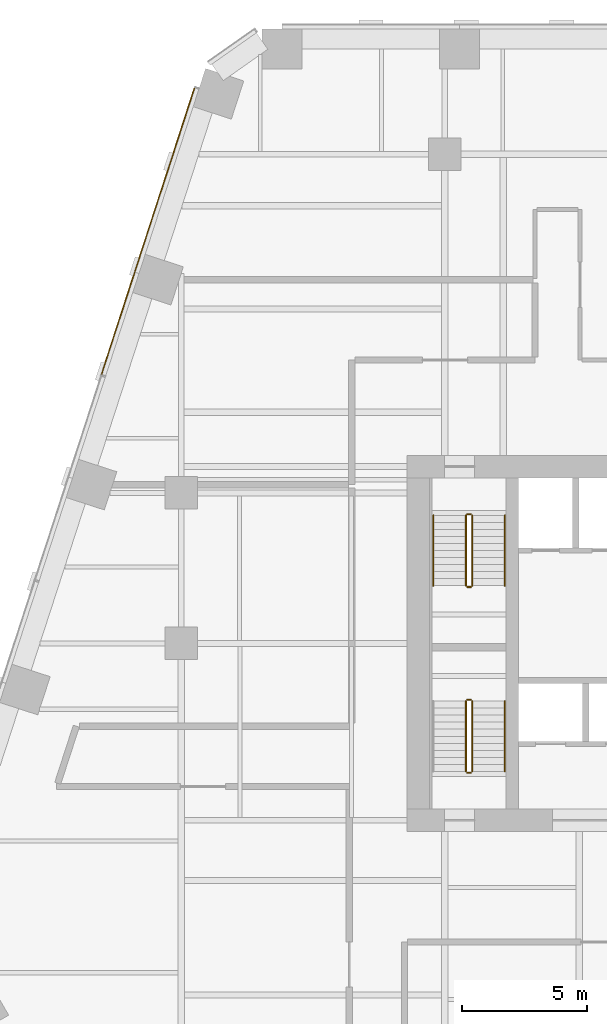
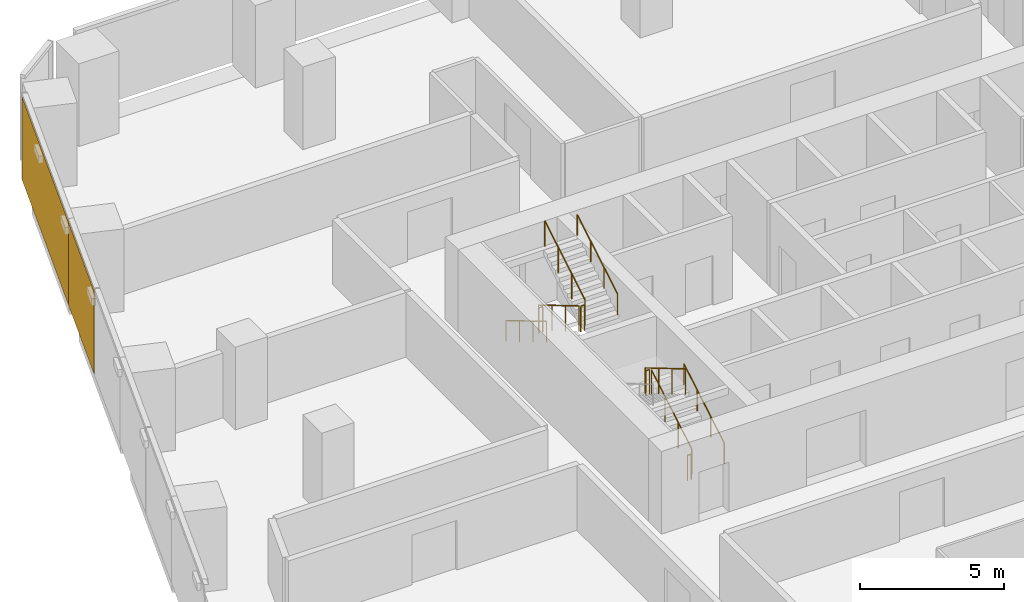
# One storey, part 19 of 21: 11 railings, 2 coverings, 1 element without a shape of its own.
"""IFC4 building model written with IfcOpenShell, lengths in metres."""

from ifc_helpers import new_model, si_unit, direction, frame, origin, origin_2d, place, context, subcontext, project, spatial, rectangle, circle, extrude, material, layer, layer_set, type_object, element, aggregate, save


model = new_model("IFC4")

# Units and contexts
model_context = context("Model", 3, precision=1e-05, world=origin(), true_north=direction((0.0, 1.0)))
body_context = subcontext(model_context, "Body", "Model", "MODEL_VIEW")
ifc_project = project(units=[si_unit("LENGTHUNIT", "METRE"), si_unit("AREAUNIT", "SQUARE_METRE"), si_unit("VOLUMEUNIT", "CUBIC_METRE"), si_unit("PLANEANGLEUNIT", "RADIAN"), si_unit("MASSUNIT", "GRAM", prefix="KILO")], contexts=[model_context])

# Site, building, storey
site_placement = place(None, origin())
site = spatial("IfcSite", under=ifc_project, at=site_placement, CompositionType="ELEMENT")
building_placement = place(site_placement, origin())
building = spatial("IfcBuilding", under=site, at=building_placement, Name="Isthmus Gate Tower", CompositionType="ELEMENT")
storey_placement = place(building_placement, frame((0.0, 0.0, 109.85009765625)))
storey = spatial("IfcBuildingStorey", under=building, at=storey_placement, Name="L26", CompositionType="ELEMENT", Elevation=109.85009765625)

# Curtain wall, coverings
ifc_material_1 = material(Name="Aluminium, pale champagne anodised", Category="aluminium")
ifc_layer_1 = layer(ifc_material_1, 0.199951171875)
ifc_layer_set_1 = layer_set([ifc_layer_1], Name="CW-1 UNITISED CURTAIN WALL 200 DEEP")
curtain_wall_type = type_object("IfcCurtainWallType", Name="CW-1 UNITISED CURTAIN WALL 200 DEEP", PredefinedType="NOTDEFINED", material=ifc_layer_set_1)
curtain_wall_placement = place(storey_placement, origin())
curtain_wall = element("IfcCurtainWall", 1, at=curtain_wall_placement, inside=storey, type_object=curtain_wall_type, Name="CW-1 NW L26", PredefinedType="NOTDEFINED")
ifc_material_2 = material(Name="Aluminium composite panel, pale champagne anodised", Category="aluminium")
ifc_layer_2 = layer(ifc_material_2, 0.0400390625)
ifc_layer_set_2 = layer_set([ifc_layer_2], Name="CW-1 PALE METAL PANEL 40")
covering_type = type_object("IfcCoveringType", Name="CW-1 PALE METAL PANEL 40", PredefinedType="CLADDING", material=ifc_layer_set_2)
covering_1_placement = place(storey_placement, frame((-24.660400390625, 25.97705078125, 0.0), z_axis=(0.0, 0.0, 1.0), x_axis=(-0.309016994375, -0.951056516295, 0.0)))
covering_1 = element("IfcCovering", 2, at=covering_1_placement, type_object=covering_type, Name="CW-1 pale metal panel", PredefinedType="CLADDING", context=body_context, shape_type="SweptSolid", body=[
    extrude(rectangle(XDim=7.729248046875, YDim=0.0400390625, at=origin_2d()), origin(), (0.0, 0.0, 1.0), 3.5),
])
covering_2_placement = place(storey_placement, frame((-26.51806640625, 20.25927734375, 0.0), z_axis=(0.0, 0.0, 1.0), x_axis=(-0.309016994375, -0.951056516295, 0.0)))
covering_2 = element("IfcCovering", 3, at=covering_2_placement, type_object=covering_type, Name="CW-1 pale metal panel", PredefinedType="CLADDING", context=body_context, shape_type="SweptSolid", body=[
    extrude(rectangle(XDim=4.294677734375, YDim=0.0400390625, at=origin_2d()), origin(), (0.0, 0.0, 1.0), 3.5),
])
aggregate(curtain_wall, [covering_1, covering_2])

# Railings
ifc_material_3 = material(Name="Stainless steel balustrade", Category="steel")
railing_type_1 = type_object("IfcRailingType", Name="STAIR GUARD 1100", PredefinedType="GUARDRAIL", material=ifc_material_3)
railing_1_placement = place(storey_placement, frame((-12.64990234375, 12.60009765625, 0.165771484375)))
element("IfcRailing", 4, at=railing_1_placement, inside=storey, type_object=railing_type_1, Name="L26 ST1 stair guard 1", PredefinedType="GUARDRAIL", context=body_context, shape_type="SweptSolid", body=[
    extrude(circle(Radius=0.02392578125, at=origin_2d()), frame((0.0, 0.0, 1.076171875), z_axis=(0.0, -0.860306154799, 0.50977771628), x_axis=(1.0, 0.0, 0.0)), (0.0, 0.0, 1.0), 3.254638671875),
    extrude(circle(Radius=0.02099609375, at=origin_2d()), origin(), (0.0, 0.0, 1.0), 1.052001953125),
    extrude(circle(Radius=0.02099609375, at=origin_2d()), frame((0.0, -0.933349609375, 0.552978515625)), (0.0, 0.0, 1.0), 1.052001953125),
    extrude(circle(Radius=0.02099609375, at=origin_2d()), frame((0.0, -1.86669921875, 1.106201171875)), (0.0, 0.0, 1.0), 1.052001953125),
    extrude(circle(Radius=0.02099609375, at=origin_2d()), frame((0.0, -2.800048828125, 1.6591796875)), (0.0, 0.0, 1.0), 1.052001953125),
])
railing_2_placement = place(storey_placement, frame((-12.60009765625, 9.75, 1.824951171875)))
element("IfcRailing", 5, at=railing_2_placement, inside=storey, type_object=railing_type_1, Name="L26 ST1 stair guard 2", PredefinedType="GUARDRAIL", context=body_context, shape_type="SweptSolid", body=[
    extrude(circle(Radius=0.02392578125, at=origin_2d()), frame((0.0, 0.0, 1.076171875), z_axis=(1.0, 0.0, 0.0), x_axis=(0.0, 1.0, 0.0)), (0.0, 0.0, 1.0), 0.150146484375),
    extrude(circle(Radius=0.02099609375, at=origin_2d()), origin(), (0.0, 0.0, 1.0), 1.052001953125),
    extrude(circle(Radius=0.02099609375, at=origin_2d()), frame((0.150146484375, 0.0, 0.0)), (0.0, 0.0, 1.0), 1.052001953125),
])
railing_3_placement = place(storey_placement, frame((-12.39990234375, 9.800048828125, 1.99072265625)))
element("IfcRailing", 6, at=railing_3_placement, inside=storey, type_object=railing_type_1, Name="L26 ST1 stair guard 3", PredefinedType="GUARDRAIL", context=body_context, shape_type="SweptSolid", body=[
    extrude(circle(Radius=0.02392578125, at=origin_2d()), frame((0.0, 0.0, 1.076171875), z_axis=(0.0, 0.860306154799, 0.50977771628), x_axis=(-1.0, 0.0, 0.0)), (0.0, 0.0, 1.0), 3.254638671875),
    extrude(circle(Radius=0.02099609375, at=origin_2d()), origin(), (0.0, 0.0, 1.0), 1.052001953125),
    extrude(circle(Radius=0.02099609375, at=origin_2d()), frame((0.0, 0.933349609375, 0.552978515625)), (0.0, 0.0, 1.0), 1.052001953125),
    extrude(circle(Radius=0.02099609375, at=origin_2d()), frame((0.0, 1.86669921875, 1.106201171875)), (0.0, 0.0, 1.0), 1.052001953125),
    extrude(circle(Radius=0.02099609375, at=origin_2d()), frame((0.0, 2.800048828125, 1.6591796875)), (0.0, 0.0, 1.0), 1.052001953125),
])
railing_4_placement = place(storey_placement, frame((-12.60009765625, 12.64990234375, 0.0)))
element("IfcRailing", 7, at=railing_4_placement, inside=storey, type_object=railing_type_1, Name="L26 ST1 stair guard 4", PredefinedType="GUARDRAIL", context=body_context, shape_type="SweptSolid", body=[
    extrude(circle(Radius=0.02392578125, at=origin_2d()), frame((0.0, 0.0, 1.076171875), z_axis=(1.0, 0.0, 0.0), x_axis=(0.0, 1.0, 0.0)), (0.0, 0.0, 1.0), 0.150146484375),
    extrude(circle(Radius=0.02099609375, at=origin_2d()), origin(), (0.0, 0.0, 1.0), 1.052001953125),
    extrude(circle(Radius=0.02099609375, at=origin_2d()), frame((0.150146484375, 0.0, 0.0)), (0.0, 0.0, 1.0), 1.052001953125),
])
railing_5_placement = place(storey_placement, frame((-12.39990234375, 2.39990234375, 0.165771484375)))
element("IfcRailing", 8, at=railing_5_placement, inside=storey, type_object=railing_type_1, Name="L26 ST7 stair guard 1", PredefinedType="GUARDRAIL", context=body_context, shape_type="SweptSolid", body=[
    extrude(circle(Radius=0.02392578125, at=origin_2d()), frame((0.0, 0.0, 1.076171875), z_axis=(0.0, 0.860306154799, 0.50977771628), x_axis=(-1.0, 0.0, 0.0)), (0.0, 0.0, 1.0), 3.254638671875),
    extrude(circle(Radius=0.02099609375, at=origin_2d()), origin(), (0.0, 0.0, 1.0), 1.052001953125),
    extrude(circle(Radius=0.02099609375, at=origin_2d()), frame((0.0, 0.933349609375, 0.552978515625)), (0.0, 0.0, 1.0), 1.052001953125),
    extrude(circle(Radius=0.02099609375, at=origin_2d()), frame((0.0, 1.86669921875, 1.106201171875)), (0.0, 0.0, 1.0), 1.052001953125),
    extrude(circle(Radius=0.02099609375, at=origin_2d()), frame((0.0, 2.800048828125, 1.6591796875)), (0.0, 0.0, 1.0), 1.052001953125),
])
railing_6_placement = place(storey_placement, frame((-12.449951171875, 5.25, 1.824951171875)))
element("IfcRailing", 9, at=railing_6_placement, inside=storey, type_object=railing_type_1, Name="L26 ST7 stair guard 2", PredefinedType="GUARDRAIL", context=body_context, shape_type="SweptSolid", body=[
    extrude(circle(Radius=0.02392578125, at=origin_2d()), frame((0.0, 0.0, 1.076171875), z_axis=(-1.0, 0.0, 0.0), x_axis=(0.0, -1.0, 0.0)), (0.0, 0.0, 1.0), 0.150146484375),
    extrude(circle(Radius=0.02099609375, at=origin_2d()), origin(), (0.0, 0.0, 1.0), 1.052001953125),
    extrude(circle(Radius=0.02099609375, at=origin_2d()), frame((-0.150146484375, 0.0, 0.0)), (0.0, 0.0, 1.0), 1.052001953125),
])
railing_7_placement = place(storey_placement, frame((-12.64990234375, 5.199951171875, 1.99072265625)))
element("IfcRailing", 10, at=railing_7_placement, inside=storey, type_object=railing_type_1, Name="L26 ST7 stair guard 3", PredefinedType="GUARDRAIL", context=body_context, shape_type="SweptSolid", body=[
    extrude(circle(Radius=0.02392578125, at=origin_2d()), frame((0.0, 0.0, 1.076171875), z_axis=(0.0, -0.860306154799, 0.50977771628), x_axis=(1.0, 0.0, 0.0)), (0.0, 0.0, 1.0), 3.254638671875),
    extrude(circle(Radius=0.02099609375, at=origin_2d()), origin(), (0.0, 0.0, 1.0), 1.052001953125),
    extrude(circle(Radius=0.02099609375, at=origin_2d()), frame((0.0, -0.933349609375, 0.552978515625)), (0.0, 0.0, 1.0), 1.052001953125),
    extrude(circle(Radius=0.02099609375, at=origin_2d()), frame((0.0, -1.86669921875, 1.106201171875)), (0.0, 0.0, 1.0), 1.052001953125),
    extrude(circle(Radius=0.02099609375, at=origin_2d()), frame((0.0, -2.800048828125, 1.6591796875)), (0.0, 0.0, 1.0), 1.052001953125),
])
railing_8_placement = place(storey_placement, frame((-12.449951171875, 2.35009765625, 0.0)))
element("IfcRailing", 11, at=railing_8_placement, inside=storey, type_object=railing_type_1, Name="L26 ST7 stair guard 4", PredefinedType="GUARDRAIL", context=body_context, shape_type="SweptSolid", body=[
    extrude(circle(Radius=0.02392578125, at=origin_2d()), frame((0.0, 0.0, 1.076171875), z_axis=(-1.0, 0.0, 0.0), x_axis=(0.0, -1.0, 0.0)), (0.0, 0.0, 1.0), 0.150146484375),
    extrude(circle(Radius=0.02099609375, at=origin_2d()), origin(), (0.0, 0.0, 1.0), 1.052001953125),
    extrude(circle(Radius=0.02099609375, at=origin_2d()), frame((-0.150146484375, 0.0, 0.0)), (0.0, 0.0, 1.0), 1.052001953125),
])
ifc_material_4 = material(Name="Stainless steel handrail", Category="steel")
railing_type_2 = type_object("IfcRailingType", Name="STAIR HANDRAIL 900", PredefinedType="HANDRAIL", material=ifc_material_4)
railing_9_placement = place(storey_placement, frame((-13.949951171875, 12.60009765625, 0.165771484375)))
element("IfcRailing", 12, at=railing_9_placement, inside=storey, type_object=railing_type_2, Name="L26 ST1 stair handrail 1", PredefinedType="HANDRAIL", context=body_context, shape_type="SweptSolid", body=[
    extrude(circle(Radius=0.02392578125, at=origin_2d()), frame((0.0, 0.0, 0.8759765625), z_axis=(0.0, -0.860306154799, 0.50977771628), x_axis=(1.0, 0.0, 0.0)), (0.0, 0.0, 1.0), 3.254638671875),
    extrude(circle(Radius=0.02099609375, at=origin_2d()), origin(), (0.0, 0.0, 1.0), 0.851806640625),
    extrude(circle(Radius=0.02099609375, at=origin_2d()), frame((0.0, -0.933349609375, 0.552978515625)), (0.0, 0.0, 1.0), 0.851806640625),
    extrude(circle(Radius=0.02099609375, at=origin_2d()), frame((0.0, -1.86669921875, 1.106201171875)), (0.0, 0.0, 1.0), 0.851806640625),
    extrude(circle(Radius=0.02099609375, at=origin_2d()), frame((0.0, -2.800048828125, 1.6591796875)), (0.0, 0.0, 1.0), 0.851806640625),
])
for number, where, name in (
    (13, (-11.10009765625, 9.800048828125, 1.99072265625), "L26 ST1 stair handrail 2"),
    (14, (-11.10009765625, 2.39990234375, 0.165771484375), "L26 ST7 stair handrail 1"),
):
    element("IfcRailing", number, at=place(storey_placement, frame(where)), inside=storey, type_object=railing_type_2, Name=name, PredefinedType="HANDRAIL", context=body_context, shape_type="SweptSolid", body=[
        extrude(circle(Radius=0.02392578125, at=origin_2d()), frame((0.0, 0.0, 0.8759765625), z_axis=(0.0, 0.860306154799, 0.50977771628), x_axis=(-1.0, 0.0, 0.0)), (0.0, 0.0, 1.0), 3.254638671875),
        extrude(circle(Radius=0.02099609375, at=origin_2d()), origin(), (0.0, 0.0, 1.0), 0.851806640625),
        extrude(circle(Radius=0.02099609375, at=origin_2d()), frame((0.0, 0.933349609375, 0.552978515625)), (0.0, 0.0, 1.0), 0.851806640625),
        extrude(circle(Radius=0.02099609375, at=origin_2d()), frame((0.0, 1.86669921875, 1.106201171875)), (0.0, 0.0, 1.0), 0.851806640625),
        extrude(circle(Radius=0.02099609375, at=origin_2d()), frame((0.0, 2.800048828125, 1.6591796875)), (0.0, 0.0, 1.0), 0.851806640625),
    ])

save(model, "model.ifc")
